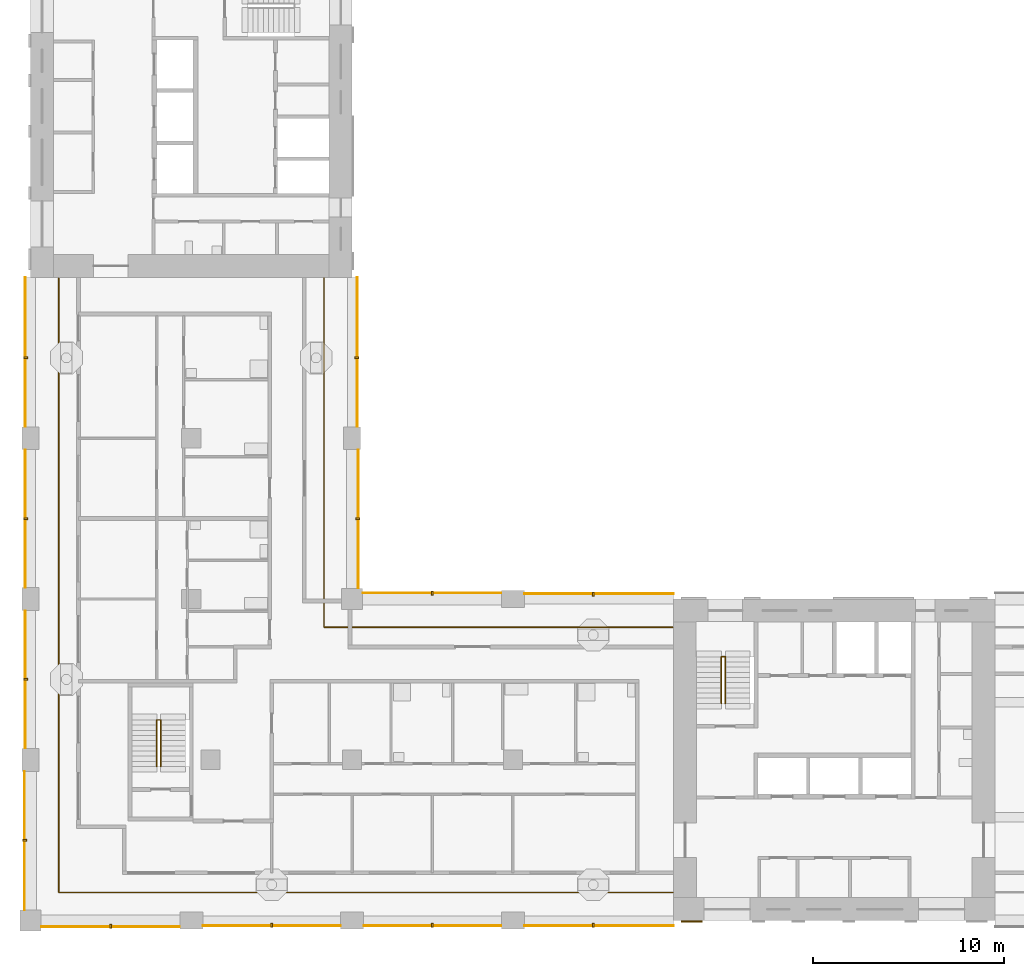
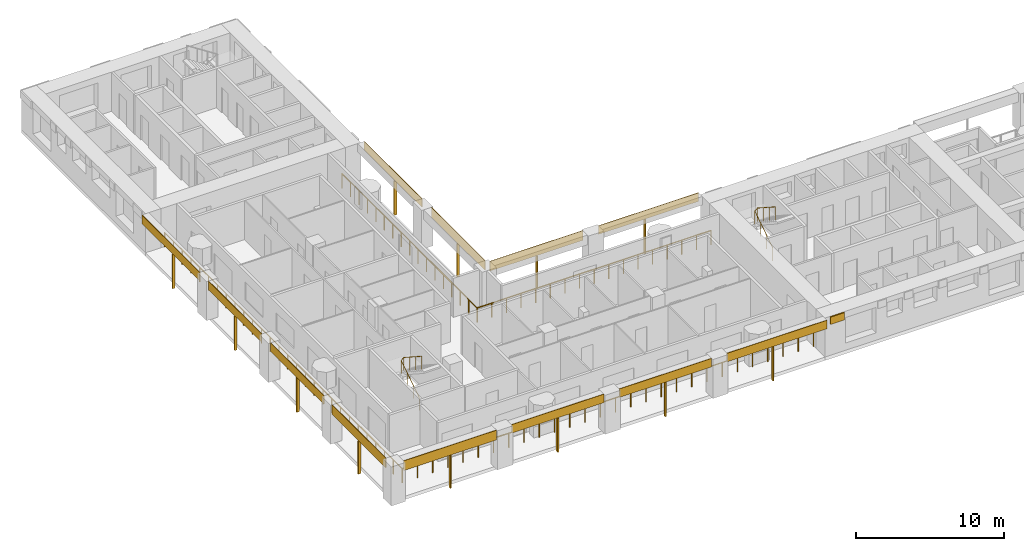
# One storey, part 8 of 13: 25 shading devices, 4 railings.
"""IFC4 building model written with IfcOpenShell, lengths in metres."""

from ifc_helpers import new_model, si_unit, direction, frame, origin, origin_2d, place, context, subcontext, project, spatial, rectangle, circle, extrude, material, layer, layer_set, material_profile, profile_set, type_object, element, save


model = new_model("IFC4")

# Units and contexts
model_context = context("Model", 3, precision=1e-05, world=origin(), true_north=direction((0.0, 1.0)))
body_context = subcontext(model_context, "Body", "Model", "MODEL_VIEW")
ifc_project = project(units=[si_unit("LENGTHUNIT", "METRE"), si_unit("AREAUNIT", "SQUARE_METRE"), si_unit("VOLUMEUNIT", "CUBIC_METRE"), si_unit("PLANEANGLEUNIT", "RADIAN"), si_unit("MASSUNIT", "GRAM", prefix="KILO")], contexts=[model_context])

# Site, building, storey
site_placement = place(None, origin())
site = spatial("IfcSite", under=ifc_project, at=site_placement, CompositionType="ELEMENT")
building_placement = place(site_placement, origin())
building = spatial("IfcBuilding", under=site, at=building_placement, Name="Vermilion Gate Residences", CompositionType="ELEMENT")
storey_placement = place(building_placement, frame((0.0, 0.0, 151.199951171875)))
storey = spatial("IfcBuildingStorey", under=building, at=storey_placement, Name="L38", CompositionType="ELEMENT", Elevation=151.199951171875)

# Railings
ifc_material_1 = material(Name="Stainless steel and toughened glass", Category="steel")
railing_type_1 = type_object("IfcRailingType", Name="LOGGIA GUARD STEEL AND GLASS 1200", PredefinedType="GUARDRAIL", material=ifc_material_1)
railing_1_placement = place(storey_placement, frame((41.97802734375, 23.72509765625, 0.0)))
element("IfcRailing", 1, at=railing_1_placement, inside=storey, type_object=railing_type_1, Name="Loggia guard", PredefinedType="GUARDRAIL", context=body_context, shape_type="SweptSolid", body=[
    extrude(circle(Radius=0.030029296875, at=origin_2d()), frame((0.0, 0.0, 1.169921875), z_axis=(-1.0, 0.0, 0.0), x_axis=(0.0, -1.0, 0.0)), (0.0, 0.0, 1.0), 18.2529296875),
    extrude(circle(Radius=0.030029296875, at=origin_2d()), frame((-18.2529296875, 0.0, 1.169921875), z_axis=(0.0, 1.0, 0.0), x_axis=(-1.0, 0.0, 0.0)), (0.0, 0.0, 1.0), 18.2529296875),
    extrude(circle(Radius=0.02490234375, at=origin_2d()), origin(), (0.0, 0.0, 1.0), 1.139892578125),
    extrude(circle(Radius=0.02490234375, at=origin_2d()), frame((-1.140869140625, 0.0, 0.0)), (0.0, 0.0, 1.0), 1.139892578125),
    extrude(circle(Radius=0.02490234375, at=origin_2d()), frame((-2.28173828125, 0.0, 0.0)), (0.0, 0.0, 1.0), 1.139892578125),
    extrude(circle(Radius=0.02490234375, at=origin_2d()), frame((-3.42236328125, 0.0, 0.0)), (0.0, 0.0, 1.0), 1.139892578125),
    extrude(circle(Radius=0.02490234375, at=origin_2d()), frame((-4.563232421875, 0.0, 0.0)), (0.0, 0.0, 1.0), 1.139892578125),
    extrude(circle(Radius=0.02490234375, at=origin_2d()), frame((-5.7041015625, 0.0, 0.0)), (0.0, 0.0, 1.0), 1.139892578125),
    extrude(circle(Radius=0.02490234375, at=origin_2d()), frame((-6.8447265625, 0.0, 0.0)), (0.0, 0.0, 1.0), 1.139892578125),
    extrude(circle(Radius=0.02490234375, at=origin_2d()), frame((-7.985595703125, 0.0, 0.0)), (0.0, 0.0, 1.0), 1.139892578125),
    extrude(circle(Radius=0.02490234375, at=origin_2d()), frame((-9.12646484375, 0.0, 0.0)), (0.0, 0.0, 1.0), 1.139892578125),
    extrude(circle(Radius=0.02490234375, at=origin_2d()), frame((-10.267333984375, 0.0, 0.0)), (0.0, 0.0, 1.0), 1.139892578125),
    extrude(circle(Radius=0.02490234375, at=origin_2d()), frame((-11.408203125, 0.0, 0.0)), (0.0, 0.0, 1.0), 1.139892578125),
    extrude(circle(Radius=0.02490234375, at=origin_2d()), frame((-12.548828125, 0.0, 0.0)), (0.0, 0.0, 1.0), 1.139892578125),
    extrude(circle(Radius=0.02490234375, at=origin_2d()), frame((-13.689697265625, 0.0, 0.0)), (0.0, 0.0, 1.0), 1.139892578125),
    extrude(circle(Radius=0.02490234375, at=origin_2d()), frame((-14.83056640625, 0.0, 0.0)), (0.0, 0.0, 1.0), 1.139892578125),
    extrude(circle(Radius=0.02490234375, at=origin_2d()), frame((-15.97119140625, 0.0, 0.0)), (0.0, 0.0, 1.0), 1.139892578125),
    extrude(circle(Radius=0.02490234375, at=origin_2d()), frame((-17.112060546875, 0.0, 0.0)), (0.0, 0.0, 1.0), 1.139892578125),
    extrude(circle(Radius=0.02490234375, at=origin_2d()), frame((-18.2529296875, 0.0, 0.0)), (0.0, 0.0, 1.0), 1.139892578125),
    extrude(circle(Radius=0.02490234375, at=origin_2d()), frame((-18.2529296875, 1.140869140625, 0.0)), (0.0, 0.0, 1.0), 1.139892578125),
    extrude(circle(Radius=0.02490234375, at=origin_2d()), frame((-18.2529296875, 2.28173828125, 0.0)), (0.0, 0.0, 1.0), 1.139892578125),
    extrude(circle(Radius=0.02490234375, at=origin_2d()), frame((-18.2529296875, 3.42236328125, 0.0)), (0.0, 0.0, 1.0), 1.139892578125),
    extrude(circle(Radius=0.02490234375, at=origin_2d()), frame((-18.2529296875, 4.563232421875, 0.0)), (0.0, 0.0, 1.0), 1.139892578125),
    extrude(circle(Radius=0.02490234375, at=origin_2d()), frame((-18.2529296875, 5.7041015625, 0.0)), (0.0, 0.0, 1.0), 1.139892578125),
    extrude(circle(Radius=0.02490234375, at=origin_2d()), frame((-18.2529296875, 6.8447265625, 0.0)), (0.0, 0.0, 1.0), 1.139892578125),
    extrude(circle(Radius=0.02490234375, at=origin_2d()), frame((-18.2529296875, 7.985595703125, 0.0)), (0.0, 0.0, 1.0), 1.139892578125),
    extrude(circle(Radius=0.02490234375, at=origin_2d()), frame((-18.2529296875, 9.12646484375, 0.0)), (0.0, 0.0, 1.0), 1.139892578125),
    extrude(circle(Radius=0.02490234375, at=origin_2d()), frame((-18.2529296875, 10.267333984375, 0.0)), (0.0, 0.0, 1.0), 1.139892578125),
    extrude(circle(Radius=0.02490234375, at=origin_2d()), frame((-18.2529296875, 11.408203125, 0.0)), (0.0, 0.0, 1.0), 1.139892578125),
    extrude(circle(Radius=0.02490234375, at=origin_2d()), frame((-18.2529296875, 12.548828125, 0.0)), (0.0, 0.0, 1.0), 1.139892578125),
    extrude(circle(Radius=0.02490234375, at=origin_2d()), frame((-18.2529296875, 13.689697265625, 0.0)), (0.0, 0.0, 1.0), 1.139892578125),
    extrude(circle(Radius=0.02490234375, at=origin_2d()), frame((-18.2529296875, 14.83056640625, 0.0)), (0.0, 0.0, 1.0), 1.139892578125),
    extrude(circle(Radius=0.02490234375, at=origin_2d()), frame((-18.2529296875, 15.97119140625, 0.0)), (0.0, 0.0, 1.0), 1.139892578125),
    extrude(circle(Radius=0.02490234375, at=origin_2d()), frame((-18.2529296875, 17.112060546875, 0.0)), (0.0, 0.0, 1.0), 1.139892578125),
    extrude(circle(Radius=0.02490234375, at=origin_2d()), frame((-18.2529296875, 18.2529296875, 0.0)), (0.0, 0.0, 1.0), 1.139892578125),
])
railing_2_placement = place(storey_placement, frame((9.875, 41.97802734375, 0.0)))
element("IfcRailing", 2, at=railing_2_placement, inside=storey, type_object=railing_type_1, Name="Loggia guard", PredefinedType="GUARDRAIL", context=body_context, shape_type="SweptSolid", body=[
    extrude(circle(Radius=0.030029296875, at=origin_2d()), frame((0.0, 0.0, 1.169921875), z_axis=(0.0, -1.0, 0.0), x_axis=(1.0, 0.0, 0.0)), (0.0, 0.0, 1.0), 32.10302734375),
    extrude(circle(Radius=0.030029296875, at=origin_2d()), frame((0.0, -32.10302734375, 1.169921875), z_axis=(1.0, 0.0, 0.0), x_axis=(0.0, 1.0, 0.0)), (0.0, 0.0, 1.0), 32.10302734375),
    extrude(circle(Radius=0.02490234375, at=origin_2d()), origin(), (0.0, 0.0, 1.0), 1.139892578125),
    extrude(circle(Radius=0.02490234375, at=origin_2d()), frame((0.0, -1.18896484375, 0.0)), (0.0, 0.0, 1.0), 1.139892578125),
    extrude(circle(Radius=0.02490234375, at=origin_2d()), frame((0.0, -2.3779296875, 0.0)), (0.0, 0.0, 1.0), 1.139892578125),
    extrude(circle(Radius=0.02490234375, at=origin_2d()), frame((0.0, -3.56689453125, 0.0)), (0.0, 0.0, 1.0), 1.139892578125),
    extrude(circle(Radius=0.02490234375, at=origin_2d()), frame((0.0, -4.756103515625, 0.0)), (0.0, 0.0, 1.0), 1.139892578125),
    extrude(circle(Radius=0.02490234375, at=origin_2d()), frame((0.0, -5.945068359375, 0.0)), (0.0, 0.0, 1.0), 1.139892578125),
    extrude(circle(Radius=0.02490234375, at=origin_2d()), frame((0.0, -7.134033203125, 0.0)), (0.0, 0.0, 1.0), 1.139892578125),
    extrude(circle(Radius=0.02490234375, at=origin_2d()), frame((0.0, -8.322998046875, 0.0)), (0.0, 0.0, 1.0), 1.139892578125),
    extrude(circle(Radius=0.02490234375, at=origin_2d()), frame((0.0, -9.511962890625, 0.0)), (0.0, 0.0, 1.0), 1.139892578125),
    extrude(circle(Radius=0.02490234375, at=origin_2d()), frame((0.0, -10.700927734375, 0.0)), (0.0, 0.0, 1.0), 1.139892578125),
    extrude(circle(Radius=0.02490234375, at=origin_2d()), frame((0.0, -11.889892578125, 0.0)), (0.0, 0.0, 1.0), 1.139892578125),
    extrude(circle(Radius=0.02490234375, at=origin_2d()), frame((0.0, -13.0791015625, 0.0)), (0.0, 0.0, 1.0), 1.139892578125),
    extrude(circle(Radius=0.02490234375, at=origin_2d()), frame((0.0, -14.26806640625, 0.0)), (0.0, 0.0, 1.0), 1.139892578125),
    extrude(circle(Radius=0.02490234375, at=origin_2d()), frame((0.0, -15.45703125, 0.0)), (0.0, 0.0, 1.0), 1.139892578125),
    extrude(circle(Radius=0.02490234375, at=origin_2d()), frame((0.0, -16.64599609375, 0.0)), (0.0, 0.0, 1.0), 1.139892578125),
    extrude(circle(Radius=0.02490234375, at=origin_2d()), frame((0.0, -17.8349609375, 0.0)), (0.0, 0.0, 1.0), 1.139892578125),
    extrude(circle(Radius=0.02490234375, at=origin_2d()), frame((0.0, -19.02392578125, 0.0)), (0.0, 0.0, 1.0), 1.139892578125),
    extrude(circle(Radius=0.02490234375, at=origin_2d()), frame((0.0, -20.213134765625, 0.0)), (0.0, 0.0, 1.0), 1.139892578125),
    extrude(circle(Radius=0.02490234375, at=origin_2d()), frame((0.0, -21.402099609375, 0.0)), (0.0, 0.0, 1.0), 1.139892578125),
    extrude(circle(Radius=0.02490234375, at=origin_2d()), frame((0.0, -22.591064453125, 0.0)), (0.0, 0.0, 1.0), 1.139892578125),
    extrude(circle(Radius=0.02490234375, at=origin_2d()), frame((0.0, -23.780029296875, 0.0)), (0.0, 0.0, 1.0), 1.139892578125),
    extrude(circle(Radius=0.02490234375, at=origin_2d()), frame((0.0, -24.968994140625, 0.0)), (0.0, 0.0, 1.0), 1.139892578125),
    extrude(circle(Radius=0.02490234375, at=origin_2d()), frame((0.0, -26.157958984375, 0.0)), (0.0, 0.0, 1.0), 1.139892578125),
    extrude(circle(Radius=0.02490234375, at=origin_2d()), frame((0.0, -27.346923828125, 0.0)), (0.0, 0.0, 1.0), 1.139892578125),
    extrude(circle(Radius=0.02490234375, at=origin_2d()), frame((0.0, -28.5361328125, 0.0)), (0.0, 0.0, 1.0), 1.139892578125),
    extrude(circle(Radius=0.02490234375, at=origin_2d()), frame((0.0, -29.72509765625, 0.0)), (0.0, 0.0, 1.0), 1.139892578125),
    extrude(circle(Radius=0.02490234375, at=origin_2d()), frame((0.0, -30.9140625, 0.0)), (0.0, 0.0, 1.0), 1.139892578125),
    extrude(circle(Radius=0.02490234375, at=origin_2d()), frame((0.0, -32.10302734375, 0.0)), (0.0, 0.0, 1.0), 1.139892578125),
    extrude(circle(Radius=0.02490234375, at=origin_2d()), frame((1.18896484375, -32.10302734375, 0.0)), (0.0, 0.0, 1.0), 1.139892578125),
    extrude(circle(Radius=0.02490234375, at=origin_2d()), frame((2.3779296875, -32.10302734375, 0.0)), (0.0, 0.0, 1.0), 1.139892578125),
    extrude(circle(Radius=0.02490234375, at=origin_2d()), frame((3.56689453125, -32.10302734375, 0.0)), (0.0, 0.0, 1.0), 1.139892578125),
    extrude(circle(Radius=0.02490234375, at=origin_2d()), frame((4.756103515625, -32.10302734375, 0.0)), (0.0, 0.0, 1.0), 1.139892578125),
    extrude(circle(Radius=0.02490234375, at=origin_2d()), frame((5.945068359375, -32.10302734375, 0.0)), (0.0, 0.0, 1.0), 1.139892578125),
    extrude(circle(Radius=0.02490234375, at=origin_2d()), frame((7.134033203125, -32.10302734375, 0.0)), (0.0, 0.0, 1.0), 1.139892578125),
    extrude(circle(Radius=0.02490234375, at=origin_2d()), frame((8.322998046875, -32.10302734375, 0.0)), (0.0, 0.0, 1.0), 1.139892578125),
    extrude(circle(Radius=0.02490234375, at=origin_2d()), frame((9.511962890625, -32.10302734375, 0.0)), (0.0, 0.0, 1.0), 1.139892578125),
    extrude(circle(Radius=0.02490234375, at=origin_2d()), frame((10.700927734375, -32.10302734375, 0.0)), (0.0, 0.0, 1.0), 1.139892578125),
    extrude(circle(Radius=0.02490234375, at=origin_2d()), frame((11.889892578125, -32.10302734375, 0.0)), (0.0, 0.0, 1.0), 1.139892578125),
    extrude(circle(Radius=0.02490234375, at=origin_2d()), frame((13.0791015625, -32.10302734375, 0.0)), (0.0, 0.0, 1.0), 1.139892578125),
    extrude(circle(Radius=0.02490234375, at=origin_2d()), frame((14.26806640625, -32.10302734375, 0.0)), (0.0, 0.0, 1.0), 1.139892578125),
    extrude(circle(Radius=0.02490234375, at=origin_2d()), frame((15.45703125, -32.10302734375, 0.0)), (0.0, 0.0, 1.0), 1.139892578125),
    extrude(circle(Radius=0.02490234375, at=origin_2d()), frame((16.64599609375, -32.10302734375, 0.0)), (0.0, 0.0, 1.0), 1.139892578125),
    extrude(circle(Radius=0.02490234375, at=origin_2d()), frame((17.8349609375, -32.10302734375, 0.0)), (0.0, 0.0, 1.0), 1.139892578125),
    extrude(circle(Radius=0.02490234375, at=origin_2d()), frame((19.02392578125, -32.10302734375, 0.0)), (0.0, 0.0, 1.0), 1.139892578125),
    extrude(circle(Radius=0.02490234375, at=origin_2d()), frame((20.213134765625, -32.10302734375, 0.0)), (0.0, 0.0, 1.0), 1.139892578125),
    extrude(circle(Radius=0.02490234375, at=origin_2d()), frame((21.402099609375, -32.10302734375, 0.0)), (0.0, 0.0, 1.0), 1.139892578125),
    extrude(circle(Radius=0.02490234375, at=origin_2d()), frame((22.591064453125, -32.10302734375, 0.0)), (0.0, 0.0, 1.0), 1.139892578125),
    extrude(circle(Radius=0.02490234375, at=origin_2d()), frame((23.780029296875, -32.10302734375, 0.0)), (0.0, 0.0, 1.0), 1.139892578125),
    extrude(circle(Radius=0.02490234375, at=origin_2d()), frame((24.968994140625, -32.10302734375, 0.0)), (0.0, 0.0, 1.0), 1.139892578125),
    extrude(circle(Radius=0.02490234375, at=origin_2d()), frame((26.157958984375, -32.10302734375, 0.0)), (0.0, 0.0, 1.0), 1.139892578125),
    extrude(circle(Radius=0.02490234375, at=origin_2d()), frame((27.346923828125, -32.10302734375, 0.0)), (0.0, 0.0, 1.0), 1.139892578125),
    extrude(circle(Radius=0.02490234375, at=origin_2d()), frame((28.5361328125, -32.10302734375, 0.0)), (0.0, 0.0, 1.0), 1.139892578125),
    extrude(circle(Radius=0.02490234375, at=origin_2d()), frame((29.72509765625, -32.10302734375, 0.0)), (0.0, 0.0, 1.0), 1.139892578125),
    extrude(circle(Radius=0.02490234375, at=origin_2d()), frame((30.9140625, -32.10302734375, 0.0)), (0.0, 0.0, 1.0), 1.139892578125),
    extrude(circle(Radius=0.02490234375, at=origin_2d()), frame((32.10302734375, -32.10302734375, 0.0)), (0.0, 0.0, 1.0), 1.139892578125),
])

# Shading devices
ifc_material_2 = material(Name="Perforated terracotta", Category="masonry")
ifc_layer_1 = layer(ifc_material_2, 0.0400390625)
ifc_layer_set_1 = layer_set([ifc_layer_1], Name="PERFORATED TERRACOTTA SCREEN 40")
shading_device_type_1 = type_object("IfcShadingDeviceType", Name="PERFORATED TERRACOTTA SCREEN 40", PredefinedType="SHUTTER", material=ifc_layer_set_1)
shading_device_1_placement = place(storey_placement, frame((12.574951171875, 8.080078125, 2.419921875), z_axis=(0.0, 0.0, 1.0), x_axis=(1.0, 0.0, 0.0)))
element("IfcShadingDevice", 3, at=shading_device_1_placement, inside=storey, type_object=shading_device_type_1, Name="SCREEN", PredefinedType="SHUTTER", context=body_context, shape_type="SweptSolid", body=[
    extrude(rectangle(XDim=7.25, YDim=0.0400390625, at=origin_2d()), origin(), (0.0, 0.0, 1.0), 0.800048828125),
])
for number, where, z_axis, x_axis, name in (
    (4, (21.0, 8.1298828125, 2.52001953125), (0.0, 0.0, 1.0), (1.0, 0.0, 0.0), "SCREEN"),
    (5, (29.39990234375, 8.1298828125, 2.52001953125), (0.0, 0.0, 1.0), (1.0, 0.0, 0.0), "SCREEN"),
):
    element("IfcShadingDevice", number, at=place(storey_placement, frame(where, z_axis=z_axis, x_axis=x_axis)), inside=storey, type_object=shading_device_type_1, Name=name, PredefinedType="SHUTTER", context=body_context, shape_type="SweptSolid", body=[
        extrude(rectangle(XDim=7.199951171875, YDim=0.0400390625, at=origin_2d()), origin(), (0.0, 0.0, 1.0), 0.699951171875),
    ])
shading_device_2_placement = place(storey_placement, frame((38.10009765625, 8.1298828125, 2.52001953125), z_axis=(0.0, 0.0, 1.0), x_axis=(1.0, 0.0, 0.0)))
element("IfcShadingDevice", 6, at=shading_device_2_placement, inside=storey, type_object=shading_device_type_1, Name="SCREEN", PredefinedType="SHUTTER", context=body_context, shape_type="SweptSolid", body=[
    extrude(rectangle(XDim=7.800048828125, YDim=0.0400390625, at=origin_2d()), origin(), (0.0, 0.0, 1.0), 0.699951171875),
])
shading_device_3_placement = place(storey_placement, frame((29.375, 25.52001953125, 2.419921875), z_axis=(0.0, 0.0, 1.0), x_axis=(-1.0, 0.0, 0.0)))
element("IfcShadingDevice", 7, at=shading_device_3_placement, inside=storey, type_object=shading_device_type_1, Name="SCREEN", PredefinedType="SHUTTER", context=body_context, shape_type="SweptSolid", body=[
    extrude(rectangle(XDim=7.25, YDim=0.0400390625, at=origin_2d()), origin(), (0.0, 0.0, 1.0), 0.800048828125),
])
shading_device_4_placement = place(storey_placement, frame((38.10009765625, 25.469970703125, 2.52001953125), z_axis=(0.0, 0.0, 1.0), x_axis=(-1.0, 0.0, 0.0)))
element("IfcShadingDevice", 8, at=shading_device_4_placement, inside=storey, type_object=shading_device_type_1, Name="SCREEN", PredefinedType="SHUTTER", context=body_context, shape_type="SweptSolid", body=[
    extrude(rectangle(XDim=7.800048828125, YDim=0.0400390625, at=origin_2d()), origin(), (0.0, 0.0, 1.0), 0.699951171875),
])
shading_device_5_placement = place(storey_placement, frame((25.52001953125, 29.375, 2.419921875), z_axis=(0.0, 0.0, 1.0), x_axis=(0.0, 1.0, 0.0)))
element("IfcShadingDevice", 9, at=shading_device_5_placement, inside=storey, type_object=shading_device_type_1, Name="SCREEN", PredefinedType="SHUTTER", context=body_context, shape_type="SweptSolid", body=[
    extrude(rectangle(XDim=7.25, YDim=0.0400390625, at=origin_2d()), origin(), (0.0, 0.0, 1.0), 0.800048828125),
])
shading_device_6_placement = place(storey_placement, frame((25.469970703125, 38.10009765625, 2.52001953125), z_axis=(0.0, 0.0, 1.0), x_axis=(0.0, 1.0, 0.0)))
element("IfcShadingDevice", 10, at=shading_device_6_placement, inside=storey, type_object=shading_device_type_1, Name="SCREEN", PredefinedType="SHUTTER", context=body_context, shape_type="SweptSolid", body=[
    extrude(rectangle(XDim=7.800048828125, YDim=0.0400390625, at=origin_2d()), origin(), (0.0, 0.0, 1.0), 0.699951171875),
])
shading_device_7_placement = place(storey_placement, frame((8.080078125, 12.574951171875, 2.419921875), z_axis=(0.0, 0.0, 1.0), x_axis=(0.0, -1.0, 0.0)))
element("IfcShadingDevice", 11, at=shading_device_7_placement, inside=storey, type_object=shading_device_type_1, Name="SCREEN", PredefinedType="SHUTTER", context=body_context, shape_type="SweptSolid", body=[
    extrude(rectangle(XDim=7.25, YDim=0.0400390625, at=origin_2d()), origin(), (0.0, 0.0, 1.0), 0.800048828125),
])
for number, where, z_axis, x_axis, name in (
    (12, (8.1298828125, 21.0, 2.52001953125), (0.0, 0.0, 1.0), (0.0, -1.0, 0.0), "SCREEN"),
    (13, (8.1298828125, 29.39990234375, 2.52001953125), (0.0, 0.0, 1.0), (0.0, -1.0, 0.0), "SCREEN"),
):
    element("IfcShadingDevice", number, at=place(storey_placement, frame(where, z_axis=z_axis, x_axis=x_axis)), inside=storey, type_object=shading_device_type_1, Name=name, PredefinedType="SHUTTER", context=body_context, shape_type="SweptSolid", body=[
        extrude(rectangle(XDim=7.199951171875, YDim=0.0400390625, at=origin_2d()), origin(), (0.0, 0.0, 1.0), 0.699951171875),
    ])
shading_device_8_placement = place(storey_placement, frame((8.1298828125, 38.10009765625, 2.52001953125), z_axis=(0.0, 0.0, 1.0), x_axis=(0.0, -1.0, 0.0)))
element("IfcShadingDevice", 14, at=shading_device_8_placement, inside=storey, type_object=shading_device_type_1, Name="SCREEN", PredefinedType="SHUTTER", context=body_context, shape_type="SweptSolid", body=[
    extrude(rectangle(XDim=7.800048828125, YDim=0.0400390625, at=origin_2d()), origin(), (0.0, 0.0, 1.0), 0.699951171875),
])

# Railings
ifc_material_3 = material(Name="Steel S355", Category="steel")
railing_type_2 = type_object("IfcRailingType", Name="STAIR GUARD 1100 STEEL", PredefinedType="GUARDRAIL", material=ifc_material_3)
for number, where, name in (
    (15, (44.5, 19.75, 0.175048828125), "Stair well guard STA1-38"),
    (16, (15.0, 16.449951171875, 0.175048828125), "Stair well guard STC1-38"),
):
    element("IfcRailing", number, at=place(storey_placement, frame(where)), inside=storey, type_object=railing_type_2, Name=name, PredefinedType="GUARDRAIL", context=body_context, shape_type="SweptSolid", body=[
        extrude(circle(Radius=0.02392578125, at=origin_2d()), frame((0.0, 0.0, 1.076171875), z_axis=(0.0, 0.839153699163, 0.543894354798), x_axis=(-1.0, 0.0, 0.0)), (0.0, 0.0, 1.0), 2.895751953125),
        extrude(circle(Radius=0.02392578125, at=origin_2d()), frame((0.0, 2.429931640625, 2.65087890625), z_axis=(0.752405939678, 0.0, 0.658699705433), x_axis=(0.0, 1.0, 0.0)), (0.0, 0.0, 1.0), 0.265869140625),
        extrude(circle(Radius=0.02392578125, at=origin_2d()), frame((0.199951171875, 2.429931640625, 2.826171875), z_axis=(0.0, -0.839153699163, 0.543894354798), x_axis=(1.0, 0.0, 0.0)), (0.0, 0.0, 1.0), 2.895751953125),
        extrude(circle(Radius=0.02099609375, at=origin_2d()), origin(), (0.0, 0.0, 1.0), 1.052001953125),
        extrude(circle(Radius=0.02099609375, at=origin_2d()), frame((0.0, 0.81005859375, 0.52490234375)), (0.0, 0.0, 1.0), 1.052001953125),
        extrude(circle(Radius=0.02099609375, at=origin_2d()), frame((0.0, 1.619873046875, 1.050048828125)), (0.0, 0.0, 1.0), 1.052001953125),
        extrude(circle(Radius=0.02099609375, at=origin_2d()), frame((0.0, 2.429931640625, 1.574951171875)), (0.0, 0.0, 1.0), 1.052001953125),
        extrude(circle(Radius=0.02099609375, at=origin_2d()), frame((0.199951171875, 2.429931640625, 1.75)), (0.0, 0.0, 1.0), 1.052001953125),
        extrude(circle(Radius=0.02099609375, at=origin_2d()), frame((0.199951171875, 1.619873046875, 2.27490234375)), (0.0, 0.0, 1.0), 1.052001953125),
        extrude(circle(Radius=0.02099609375, at=origin_2d()), frame((0.199951171875, 0.81005859375, 2.800048828125)), (0.0, 0.0, 1.0), 1.052001953125),
        extrude(circle(Radius=0.02099609375, at=origin_2d()), frame((0.199951171875, 0.0, 3.324951171875)), (0.0, 0.0, 1.0), 1.052001953125),
    ])

# Shading devices
ifc_material_4 = material(Name="Extruded terracotta", Category="masonry")
ifc_material_profile = material_profile(ifc_material_4, rectangle(XDim=0.199951171875, YDim=0.10009765625, at=origin_2d()), Name="BAGUETTE 100 X 200")
ifc_profile_set = profile_set([ifc_material_profile], Name="Extruded terracotta")
shading_device_type_2 = type_object("IfcShadingDeviceType", Name="TERRACOTTA BAGUETTE 100 X 200", PredefinedType="JALOUSIE", material=ifc_profile_set)
shading_device_9_placement = place(storey_placement, frame((12.60009765625, 8.10009765625, -0.280029296875), z_axis=(0.0, 0.0, 1.0), x_axis=(0.0, 1.0, 0.0)))
element("IfcShadingDevice", 17, at=shading_device_9_placement, inside=storey, type_object=shading_device_type_2, Name="BAGUETTE", PredefinedType="JALOUSIE", context=body_context, shape_type="SweptSolid", body=[
    extrude(rectangle(XDim=0.199951171875, YDim=0.10009765625, at=origin_2d()), origin(), (0.0, 0.0, 1.0), 2.7001953125),
])
for number, where, z_axis, x_axis, name in (
    (18, (21.0, 8.14990234375, -0.280029296875), (0.0, 0.0, 1.0), (0.0, 1.0, 0.0), "BAGUETTE"),
    (19, (29.39990234375, 8.14990234375, -0.280029296875), (0.0, 0.0, 1.0), (0.0, 1.0, 0.0), "BAGUETTE"),
    (20, (37.800048828125, 8.14990234375, -0.280029296875), (0.0, 0.0, 1.0), (0.0, 1.0, 0.0), "BAGUETTE"),
):
    element("IfcShadingDevice", number, at=place(storey_placement, frame(where, z_axis=z_axis, x_axis=x_axis)), inside=storey, type_object=shading_device_type_2, Name=name, PredefinedType="JALOUSIE", context=body_context, shape_type="SweptSolid", body=[
        extrude(rectangle(XDim=0.199951171875, YDim=0.10009765625, at=origin_2d()), origin(), (0.0, 0.0, 1.0), 2.800048828125),
    ])
shading_device_10_placement = place(storey_placement, frame((29.39990234375, 25.5, -0.280029296875), z_axis=(0.0, 0.0, 1.0), x_axis=(0.0, -1.0, 0.0)))
element("IfcShadingDevice", 21, at=shading_device_10_placement, inside=storey, type_object=shading_device_type_2, Name="BAGUETTE", PredefinedType="JALOUSIE", context=body_context, shape_type="SweptSolid", body=[
    extrude(rectangle(XDim=0.199951171875, YDim=0.10009765625, at=origin_2d()), origin(), (0.0, 0.0, 1.0), 2.7001953125),
])
shading_device_11_placement = place(storey_placement, frame((37.800048828125, 25.449951171875, -0.280029296875), z_axis=(0.0, 0.0, 1.0), x_axis=(0.0, -1.0, 0.0)))
element("IfcShadingDevice", 22, at=shading_device_11_placement, inside=storey, type_object=shading_device_type_2, Name="BAGUETTE", PredefinedType="JALOUSIE", context=body_context, shape_type="SweptSolid", body=[
    extrude(rectangle(XDim=0.199951171875, YDim=0.10009765625, at=origin_2d()), origin(), (0.0, 0.0, 1.0), 2.800048828125),
])
shading_device_12_placement = place(storey_placement, frame((25.5, 29.39990234375, -0.280029296875), z_axis=(0.0, 0.0, 1.0), x_axis=(-1.0, 0.0, 0.0)))
element("IfcShadingDevice", 23, at=shading_device_12_placement, inside=storey, type_object=shading_device_type_2, Name="BAGUETTE", PredefinedType="JALOUSIE", context=body_context, shape_type="SweptSolid", body=[
    extrude(rectangle(XDim=0.199951171875, YDim=0.10009765625, at=origin_2d()), origin(), (0.0, 0.0, 1.0), 2.7001953125),
])
shading_device_13_placement = place(storey_placement, frame((25.449951171875, 37.800048828125, -0.280029296875), z_axis=(0.0, 0.0, 1.0), x_axis=(-1.0, 0.0, 0.0)))
element("IfcShadingDevice", 24, at=shading_device_13_placement, inside=storey, type_object=shading_device_type_2, Name="BAGUETTE", PredefinedType="JALOUSIE", context=body_context, shape_type="SweptSolid", body=[
    extrude(rectangle(XDim=0.199951171875, YDim=0.10009765625, at=origin_2d()), origin(), (0.0, 0.0, 1.0), 2.800048828125),
])
shading_device_14_placement = place(storey_placement, frame((8.10009765625, 12.60009765625, -0.280029296875), z_axis=(0.0, 0.0, 1.0), x_axis=(1.0, 0.0, 0.0)))
element("IfcShadingDevice", 25, at=shading_device_14_placement, inside=storey, type_object=shading_device_type_2, Name="BAGUETTE", PredefinedType="JALOUSIE", context=body_context, shape_type="SweptSolid", body=[
    extrude(rectangle(XDim=0.199951171875, YDim=0.10009765625, at=origin_2d()), origin(), (0.0, 0.0, 1.0), 2.7001953125),
])
for number, where, z_axis, x_axis, name in (
    (26, (8.14990234375, 21.0, -0.280029296875), (0.0, 0.0, 1.0), (1.0, 0.0, 0.0), "BAGUETTE"),
    (27, (8.14990234375, 29.39990234375, -0.280029296875), (0.0, 0.0, 1.0), (1.0, 0.0, 0.0), "BAGUETTE"),
    (28, (8.14990234375, 37.800048828125, -0.280029296875), (0.0, 0.0, 1.0), (1.0, 0.0, 0.0), "BAGUETTE"),
):
    element("IfcShadingDevice", number, at=place(storey_placement, frame(where, z_axis=z_axis, x_axis=x_axis)), inside=storey, type_object=shading_device_type_2, Name=name, PredefinedType="JALOUSIE", context=body_context, shape_type="SweptSolid", body=[
        extrude(rectangle(XDim=0.199951171875, YDim=0.10009765625, at=origin_2d()), origin(), (0.0, 0.0, 1.0), 2.800048828125),
    ])
ifc_material_5 = material(Name="Extruded terracotta", Category="masonry")
ifc_layer_2 = layer(ifc_material_5, 0.10009765625)
ifc_layer_set_2 = layer_set([ifc_layer_2], Name="TERRACOTTA SPANDREL BAND 600 X 100")
shading_device_type_3 = type_object("IfcShadingDeviceType", Name="TERRACOTTA SPANDREL BAND 600 X 100", PredefinedType="USERDEFINED", material=ifc_layer_set_2)
shading_device_15_placement = place(storey_placement, frame((42.949951171875, 8.35009765625, 2.6201171875), z_axis=(0.0, 0.0, 1.0), x_axis=(1.0, 0.0, 0.0)))
element("IfcShadingDevice", 29, at=shading_device_15_placement, inside=storey, type_object=shading_device_type_3, Name="SPANDREL BAND", ObjectType="BAND", PredefinedType="USERDEFINED", context=body_context, shape_type="SweptSolid", body=[
    extrude(rectangle(XDim=1.10009765625, YDim=0.10009765625, at=origin_2d()), origin(), (0.0, 0.0, 1.0), 0.60009765625),
])

save(model, "model.ifc")
